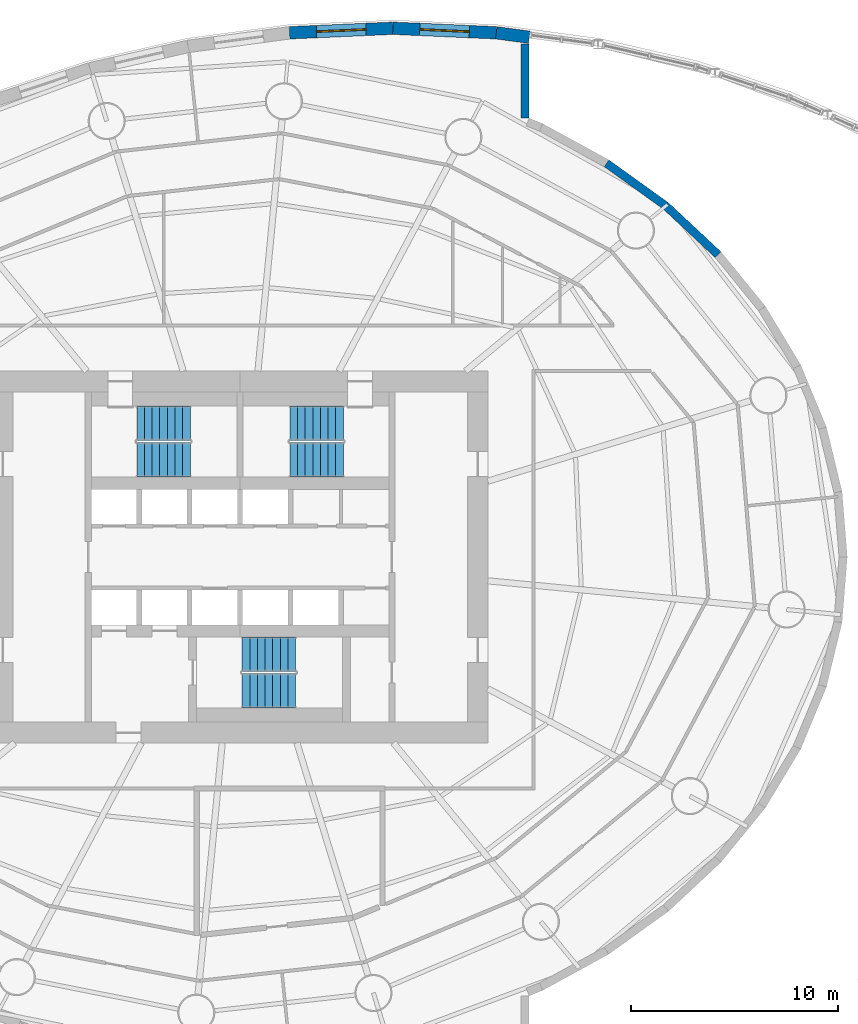
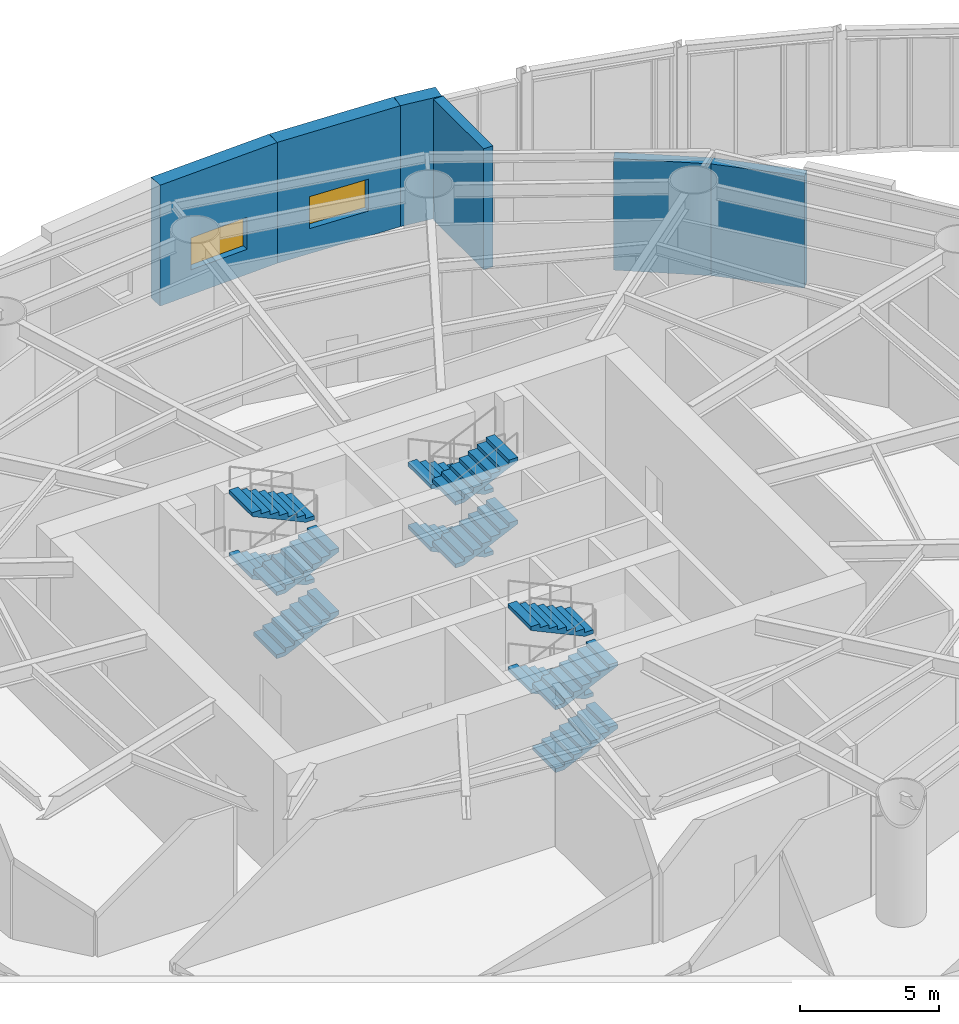
# One storey, part 18 of 19: 12 stair flights, 6 walls, 2 windows, 2 openings, 3 elements without a shape of their own.
"""IFC4 building model written with IfcOpenShell, lengths in metres."""

from ifc_helpers import new_model, si_unit, direction, frame, frame_2d, origin, place, context, subcontext, project, spatial, polyline, rectangle, outline, extrude, material, layer, layer_set, type_object, element, fill, aggregate, save


model = new_model("IFC4")

# Units and contexts
model_context = context("Model", 3, precision=1e-05, world=origin(), true_north=direction((0.0, 1.0)))
body_context = subcontext(model_context, "Body", "Model", "MODEL_VIEW")
ifc_project = project(units=[si_unit("LENGTHUNIT", "METRE"), si_unit("AREAUNIT", "SQUARE_METRE"), si_unit("VOLUMEUNIT", "CUBIC_METRE"), si_unit("PLANEANGLEUNIT", "RADIAN"), si_unit("MASSUNIT", "GRAM", prefix="KILO")], contexts=[model_context])

# Site, building, storey
site_placement = place(None, origin())
site = spatial("IfcSite", under=ifc_project, at=site_placement, CompositionType="ELEMENT")
building_placement = place(site_placement, origin())
building = spatial("IfcBuilding", under=site, at=building_placement, Name="Vermilion Reach Broadcast Tower", CompositionType="ELEMENT")
storey_placement = place(building_placement, frame((0.0, 0.0, 26.0)))
storey = spatial("IfcBuildingStorey", under=building, at=storey_placement, Name="L03", CompositionType="ELEMENT", Elevation=26.0)

# Walls
ifc_material_1 = material(Name="Precast concrete C40/50 with acoustic cladding", Category="concrete")
ifc_layer_1 = layer(ifc_material_1, 0.39990234375)
ifc_layer_set_1 = layer_set([ifc_layer_1], Name="Atrium end wall 400")
wall_type_1 = type_object("IfcWallType", Name="Atrium end wall 400", PredefinedType="SOLIDWALL", material=ifc_layer_set_1)
wall_1_placement = place(storey_placement, frame((7.800048828125, 24.84521484375, 0.0), z_axis=(0.0, 0.0, 1.0), x_axis=(0.0, -1.0, 0.0)))
element("IfcWall", 1, at=wall_1_placement, inside=storey, type_object=wall_type_1, Name="Atrium end wall L03 1", PredefinedType="SOLIDWALL", context=body_context, shape_type="SweptSolid", body=[
    extrude(rectangle(XDim=3.599365234375, YDim=0.39990234375, at=frame_2d((1.7998046875, 0.0))), origin(), (0.0, 0.0, 1.0), 5.300048828125),
])
ifc_material_2 = material(Name="Precast concrete C40/50 with acoustic cladding", Category="concrete")
ifc_layer_2 = layer(ifc_material_2, 0.39990234375)
ifc_layer_set_2 = layer_set([ifc_layer_2], Name="Atrium end wall 400, head 400 below soffit")
wall_type_2 = type_object("IfcWallType", Name="Atrium end wall 400, head 400 below soffit", PredefinedType="SOLIDWALL", material=ifc_layer_set_2)
wall_2_placement = place(storey_placement, frame((11.744873046875, 19.0615234375, 0.0), z_axis=(0.0, 0.0, 1.0), x_axis=(0.81205624831, -0.583579171648, 0.0)))
element("IfcWall", 2, at=wall_2_placement, inside=storey, type_object=wall_type_2, Name="Podium wall L03 dru02", PredefinedType="SOLIDWALL", context=body_context, shape_type="SweptSolid", body=[
    extrude(rectangle(XDim=3.5380859375, YDim=0.39990234375, at=frame_2d((1.76904296875, 0.0))), origin(), (0.0, 0.0, 1.0), 4.89990234375),
])
wall_3_placement = place(storey_placement, frame((14.617919921875, 16.996826171875, 0.0), z_axis=(0.0, 0.0, 1.0), x_axis=(0.730641209912, -0.682761614605, 0.0)))
element("IfcWall", 3, at=wall_3_placement, inside=storey, type_object=wall_type_2, Name="Podium wall L03 dru03", PredefinedType="SOLIDWALL", context=body_context, shape_type="SweptSolid", body=[
    extrude(rectangle(XDim=3.4521484375, YDim=0.39990234375, at=frame_2d((1.72607421875, 0.0))), origin(), (0.0, 0.0, 1.0), 4.89990234375),
])
ifc_material_3 = material(Name="Precast concrete C40/50 with acoustic cladding", Category="concrete")
ifc_layer_3 = layer(ifc_material_3, 0.60009765625)
ifc_layer_set_3 = layer_set([ifc_layer_3], Name="Podium acoustic wall 600")
wall_type_3 = type_object("IfcWallType", Name="Podium acoustic wall 600", PredefinedType="SOLIDWALL", material=ifc_layer_set_3)
wall_4_placement = place(storey_placement, frame((8.0, 25.1650390625, 0.0), z_axis=(0.0, 0.0, 1.0), x_axis=(-0.991131029833, 0.132888230112, 0.0)))
element("IfcWall", 4, at=wall_4_placement, inside=storey, type_object=wall_type_3, Name="Podium wall L03 str00", PredefinedType="SOLIDWALL", context=body_context, shape_type="SweptSolid", body=[
    extrude(rectangle(XDim=1.611328125, YDim=0.60009765625, at=frame_2d((0.8056640625, 0.0))), origin(), (0.0, 0.0, 1.0), 5.300048828125),
])

# Wall, opening, window
wall_5_placement = place(storey_placement, frame((6.403076171875, 25.379150390625, 0.0), z_axis=(0.0, 0.0, 1.0), x_axis=(-0.99902630841, 0.044118421369, 0.0)))
wall_5 = element("IfcWall", 5, at=wall_5_placement, inside=storey, type_object=wall_type_3, Name="Podium wall L03 str01", PredefinedType="SOLIDWALL", context=body_context, shape_type="SweptSolid", body=[
    extrude(rectangle(XDim=5.008056640625, YDim=0.60009765625, at=frame_2d((2.50390625, 0.0))), origin(), (0.0, 0.0, 1.0), 5.300048828125),
])
opening_1_placement = place(wall_5_placement, frame((1.303955078125, 0.0, 1.10009765625)))
opening_1 = element("IfcOpeningElement", 6, at=opening_1_placement, cuts=wall_5, Name="Opening W11", PredefinedType="OPENING", context=body_context, shape_type="SweptSolid", body=[
    extrude(rectangle(XDim=2.39990234375, YDim=1.39990234375, at=frame_2d((1.199951171875, 0.699951171875))), frame((0.0, 0.31005859375, 0.0), z_axis=(0.0, -1.0, 0.0), x_axis=(1.0, 0.0, 0.0)), (0.0, 0.0, 1.0), 0.6201171875),
])
ifc_material_4 = material(Name="Acoustic laminated glass in aluminium frame", Category="aluminium")
window_type = type_object("IfcWindowType", Name="Control room window 2400 x 1400", PartitioningType="SINGLE_PANEL", PredefinedType="WINDOW", material=ifc_material_4)
window_1_placement = place(opening_1_placement, origin())
window_1 = element("IfcWindow", 7, at=window_1_placement, inside=storey, type_object=window_type, Name="Window L03 01", OverallHeight=1.39990234375, OverallWidth=2.39990234375, PartitioningType="SINGLE_PANEL", PredefinedType="WINDOW", context=body_context, shape_type="SweptSolid", body=[
    extrude(rectangle(XDim=2.39990234375, YDim=1.39990234375, at=frame_2d((1.199951171875, 0.699951171875))), frame((0.0, 0.030029296875, 0.0), z_axis=(0.0, -1.0, 0.0), x_axis=(1.0, 0.0, 0.0)), (0.0, 0.0, 1.0), 0.06005859375),
])
fill(opening_1, window_1)

wall_6_placement = place(storey_placement, frame((1.39990234375, 25.60009765625, 0.0), z_axis=(0.0, 0.0, 1.0), x_axis=(-0.999026213515, -0.044120570136, 0.0)))
wall_6 = element("IfcWall", 8, at=wall_6_placement, inside=storey, type_object=wall_type_3, Name="Podium wall L03 str02", PredefinedType="SOLIDWALL", context=body_context, shape_type="SweptSolid", body=[
    extrude(rectangle(XDim=5.0078125, YDim=0.60009765625, at=frame_2d((2.50390625, 0.0))), origin(), (0.0, 0.0, 1.0), 5.300048828125),
])
opening_2_placement = place(wall_6_placement, frame((1.303955078125, 0.0, 1.10009765625)))
opening_2 = element("IfcOpeningElement", 9, at=opening_2_placement, cuts=wall_6, Name="Opening W11", PredefinedType="OPENING", context=body_context, shape_type="SweptSolid", body=[
    extrude(rectangle(XDim=2.39990234375, YDim=1.39990234375, at=frame_2d((1.199951171875, 0.699951171875))), frame((0.0, 0.31005859375, 0.0), z_axis=(0.0, -1.0, 0.0), x_axis=(1.0, 0.0, 0.0)), (0.0, 0.0, 1.0), 0.6201171875),
])
window_2_placement = place(opening_2_placement, origin())
window_2 = element("IfcWindow", 10, at=window_2_placement, inside=storey, type_object=window_type, Name="Window L03 02", OverallHeight=1.39990234375, OverallWidth=2.39990234375, PartitioningType="SINGLE_PANEL", PredefinedType="WINDOW", context=body_context, shape_type="SweptSolid", body=[
    extrude(rectangle(XDim=2.39990234375, YDim=1.39990234375, at=frame_2d((1.199951171875, 0.699951171875))), frame((0.0, 0.030029296875, 0.0), z_axis=(0.0, -1.0, 0.0), x_axis=(1.0, 0.0, 0.0)), (0.0, 0.0, 1.0), 0.06005859375),
])
fill(opening_2, window_2)

# Stair, stair flights
ifc_material_5 = material(Name="Concrete C40", Category="concrete")
stair_type = type_object("IfcStairType", Name="Exit stair RC 32 risers 172 mm", PredefinedType="HALF_TURN_STAIR", material=ifc_material_5)
placement = place(storey_placement, origin())
stair_1 = element("IfcStair", 11, at=placement, inside=storey, type_object=stair_type, Name="L03 Exit stair ST1", PredefinedType="HALF_TURN_STAIR")
ifc_material_6 = material(Name="Concrete C40", Category="concrete")
stair_flight_type = type_object("IfcStairFlightType", Name="Exit stair flight RC 8 risers", PredefinedType="STRAIGHT", material=ifc_material_6)
stair_flight_1_placement = place(storey_placement, frame((-11.0, 4.7099609375, 0.0), z_axis=(0.0, 0.0, 1.0), x_axis=(1.0, 0.0, 0.0)))
stair_flight_1 = element("IfcStairFlight", 12, at=stair_flight_1_placement, type_object=stair_flight_type, Name="ST1 flight 1", NumberOfRisers=8, NumberOfTreads=7, PredefinedType="STRAIGHT", RiserHeight=0.171875, TreadLength=0.37, context=body_context, shape_type="SweptSolid", body=[
    extrude(outline(polyline([(0.0, 0.0), (0.0, 0.171875), (0.3701171875, 0.171875), (0.3701171875, 0.34375), (0.739990234375, 0.34375), (0.739990234375, 0.515625), (1.110107421875, 0.515625), (1.110107421875, 0.6875), (1.47998046875, 0.6875), (1.47998046875, 0.859375), (1.85009765625, 0.859375), (1.85009765625, 1.03125), (2.219970703125, 1.03125), (2.219970703125, 1.203125), (2.590087890625, 1.203125), (2.590087890625, 1.375), (2.590087890625, 1.037841796875), (0.355712890625, 0.0), (0.0, 0.0)])), frame((0.0, 0.830078125, 0.0), z_axis=(0.0, -1.0, 0.0), x_axis=(1.0, 0.0, 0.0)), (0.0, 0.0, 1.0), 1.659912109375),
])
stair_flight_2_placement = place(storey_placement, frame((-8.409912109375, 6.469970703125, 1.375), z_axis=(0.0, 0.0, 1.0), x_axis=(-1.0, 0.0, 0.0)))
stair_flight_2 = element("IfcStairFlight", 13, at=stair_flight_2_placement, type_object=stair_flight_type, Name="ST1 flight 2", NumberOfRisers=8, NumberOfTreads=7, PredefinedType="STRAIGHT", RiserHeight=0.171875, TreadLength=0.37, context=body_context, shape_type="SweptSolid", body=[
    extrude(outline(polyline([(0.0, 0.0), (0.0, 0.171875), (0.3701171875, 0.171875), (0.3701171875, 0.34375), (0.739990234375, 0.34375), (0.739990234375, 0.515625), (1.110107421875, 0.515625), (1.110107421875, 0.6875), (1.47998046875, 0.6875), (1.47998046875, 0.859375), (1.85009765625, 0.859375), (1.85009765625, 1.03125), (2.219970703125, 1.03125), (2.219970703125, 1.203125), (2.590087890625, 1.203125), (2.590087890625, 1.375), (2.590087890625, 1.037841796875), (0.355712890625, 0.0), (0.0, 0.0)])), frame((0.0, 0.830078125, 0.0), z_axis=(0.0, -1.0, 0.0), x_axis=(1.0, 0.0, 0.0)), (0.0, 0.0, 1.0), 1.659912109375),
])
stair_flight_3_placement = place(storey_placement, frame((-11.0, 4.7099609375, 2.75), z_axis=(0.0, 0.0, 1.0), x_axis=(1.0, 0.0, 0.0)))
stair_flight_3 = element("IfcStairFlight", 14, at=stair_flight_3_placement, type_object=stair_flight_type, Name="ST1 flight 3", NumberOfRisers=8, NumberOfTreads=7, PredefinedType="STRAIGHT", RiserHeight=0.171875, TreadLength=0.37, context=body_context, shape_type="SweptSolid", body=[
    extrude(outline(polyline([(0.0, 0.0), (0.0, 0.171875), (0.3701171875, 0.171875), (0.3701171875, 0.34375), (0.739990234375, 0.34375), (0.739990234375, 0.515625), (1.110107421875, 0.515625), (1.110107421875, 0.6875), (1.47998046875, 0.6875), (1.47998046875, 0.859375), (1.85009765625, 0.859375), (1.85009765625, 1.03125), (2.219970703125, 1.03125), (2.219970703125, 1.203125), (2.590087890625, 1.203125), (2.590087890625, 1.375), (2.590087890625, 1.037841796875), (0.355712890625, 0.0), (0.0, 0.0)])), frame((0.0, 0.830078125, 0.0), z_axis=(0.0, -1.0, 0.0), x_axis=(1.0, 0.0, 0.0)), (0.0, 0.0, 1.0), 1.659912109375),
])
stair_flight_4_placement = place(storey_placement, frame((-8.409912109375, 6.469970703125, 4.125), z_axis=(0.0, 0.0, 1.0), x_axis=(-1.0, 0.0, 0.0)))
stair_flight_4 = element("IfcStairFlight", 15, at=stair_flight_4_placement, type_object=stair_flight_type, Name="ST1 flight 4", NumberOfRisers=8, NumberOfTreads=7, PredefinedType="STRAIGHT", RiserHeight=0.171875, TreadLength=0.37, context=body_context, shape_type="SweptSolid", body=[
    extrude(outline(polyline([(0.0, 0.0), (0.0, 0.171875), (0.3701171875, 0.171875), (0.3701171875, 0.34375), (0.739990234375, 0.34375), (0.739990234375, 0.515625), (1.110107421875, 0.515625), (1.110107421875, 0.6875), (1.47998046875, 0.6875), (1.47998046875, 0.859375), (1.85009765625, 0.859375), (1.85009765625, 1.03125), (2.219970703125, 1.03125), (2.219970703125, 1.203125), (2.590087890625, 1.203125), (2.590087890625, 1.375), (2.590087890625, 1.037841796875), (0.355712890625, 0.0), (0.0, 0.0)])), frame((0.0, 0.830078125, 0.0), z_axis=(0.0, -1.0, 0.0), x_axis=(1.0, 0.0, 0.0)), (0.0, 0.0, 1.0), 1.659912109375),
])
aggregate(stair_1, [stair_flight_1, stair_flight_2, stair_flight_3, stair_flight_4])

stair_2 = element("IfcStair", 16, at=placement, inside=storey, type_object=stair_type, Name="L03 Exit stair ST2", PredefinedType="HALF_TURN_STAIR")
stair_flight_5_placement = place(storey_placement, frame((-1.0, 6.469970703125, 0.0), z_axis=(0.0, 0.0, 1.0), x_axis=(-1.0, 0.0, 0.0)))
stair_flight_5 = element("IfcStairFlight", 17, at=stair_flight_5_placement, type_object=stair_flight_type, Name="ST2 flight 1", NumberOfRisers=8, NumberOfTreads=7, PredefinedType="STRAIGHT", RiserHeight=0.171875, TreadLength=0.37, context=body_context, shape_type="SweptSolid", body=[
    extrude(outline(polyline([(0.0, 0.0), (0.0, 0.171875), (0.3701171875, 0.171875), (0.3701171875, 0.34375), (0.739990234375, 0.34375), (0.739990234375, 0.515625), (1.110107421875, 0.515625), (1.110107421875, 0.6875), (1.47998046875, 0.6875), (1.47998046875, 0.859375), (1.85009765625, 0.859375), (1.85009765625, 1.03125), (2.219970703125, 1.03125), (2.219970703125, 1.203125), (2.590087890625, 1.203125), (2.590087890625, 1.375), (2.590087890625, 1.037841796875), (0.355712890625, 0.0), (0.0, 0.0)])), frame((0.0, 0.830078125, 0.0), z_axis=(0.0, -1.0, 0.0), x_axis=(1.0, 0.0, 0.0)), (0.0, 0.0, 1.0), 1.659912109375),
])
stair_flight_6_placement = place(storey_placement, frame((-3.590087890625, 4.7099609375, 1.375), z_axis=(0.0, 0.0, 1.0), x_axis=(1.0, 0.0, 0.0)))
stair_flight_6 = element("IfcStairFlight", 18, at=stair_flight_6_placement, type_object=stair_flight_type, Name="ST2 flight 2", NumberOfRisers=8, NumberOfTreads=7, PredefinedType="STRAIGHT", RiserHeight=0.171875, TreadLength=0.37, context=body_context, shape_type="SweptSolid", body=[
    extrude(outline(polyline([(0.0, 0.0), (0.0, 0.171875), (0.3701171875, 0.171875), (0.3701171875, 0.34375), (0.739990234375, 0.34375), (0.739990234375, 0.515625), (1.110107421875, 0.515625), (1.110107421875, 0.6875), (1.47998046875, 0.6875), (1.47998046875, 0.859375), (1.85009765625, 0.859375), (1.85009765625, 1.03125), (2.219970703125, 1.03125), (2.219970703125, 1.203125), (2.590087890625, 1.203125), (2.590087890625, 1.375), (2.590087890625, 1.037841796875), (0.355712890625, 0.0), (0.0, 0.0)])), frame((0.0, 0.830078125, 0.0), z_axis=(0.0, -1.0, 0.0), x_axis=(1.0, 0.0, 0.0)), (0.0, 0.0, 1.0), 1.659912109375),
])
stair_flight_7_placement = place(storey_placement, frame((-1.0, 6.469970703125, 2.75), z_axis=(0.0, 0.0, 1.0), x_axis=(-1.0, 0.0, 0.0)))
stair_flight_7 = element("IfcStairFlight", 19, at=stair_flight_7_placement, type_object=stair_flight_type, Name="ST2 flight 3", NumberOfRisers=8, NumberOfTreads=7, PredefinedType="STRAIGHT", RiserHeight=0.171875, TreadLength=0.37, context=body_context, shape_type="SweptSolid", body=[
    extrude(outline(polyline([(0.0, 0.0), (0.0, 0.171875), (0.3701171875, 0.171875), (0.3701171875, 0.34375), (0.739990234375, 0.34375), (0.739990234375, 0.515625), (1.110107421875, 0.515625), (1.110107421875, 0.6875), (1.47998046875, 0.6875), (1.47998046875, 0.859375), (1.85009765625, 0.859375), (1.85009765625, 1.03125), (2.219970703125, 1.03125), (2.219970703125, 1.203125), (2.590087890625, 1.203125), (2.590087890625, 1.375), (2.590087890625, 1.037841796875), (0.355712890625, 0.0), (0.0, 0.0)])), frame((0.0, 0.830078125, 0.0), z_axis=(0.0, -1.0, 0.0), x_axis=(1.0, 0.0, 0.0)), (0.0, 0.0, 1.0), 1.659912109375),
])
stair_flight_8_placement = place(storey_placement, frame((-3.590087890625, 4.7099609375, 4.125), z_axis=(0.0, 0.0, 1.0), x_axis=(1.0, 0.0, 0.0)))
stair_flight_8 = element("IfcStairFlight", 20, at=stair_flight_8_placement, type_object=stair_flight_type, Name="ST2 flight 4", NumberOfRisers=8, NumberOfTreads=7, PredefinedType="STRAIGHT", RiserHeight=0.171875, TreadLength=0.37, context=body_context, shape_type="SweptSolid", body=[
    extrude(outline(polyline([(0.0, 0.0), (0.0, 0.171875), (0.3701171875, 0.171875), (0.3701171875, 0.34375), (0.739990234375, 0.34375), (0.739990234375, 0.515625), (1.110107421875, 0.515625), (1.110107421875, 0.6875), (1.47998046875, 0.6875), (1.47998046875, 0.859375), (1.85009765625, 0.859375), (1.85009765625, 1.03125), (2.219970703125, 1.03125), (2.219970703125, 1.203125), (2.590087890625, 1.203125), (2.590087890625, 1.375), (2.590087890625, 1.037841796875), (0.355712890625, 0.0), (0.0, 0.0)])), frame((0.0, 0.830078125, 0.0), z_axis=(0.0, -1.0, 0.0), x_axis=(1.0, 0.0, 0.0)), (0.0, 0.0, 1.0), 1.659912109375),
])
aggregate(stair_2, [stair_flight_5, stair_flight_6, stair_flight_7, stair_flight_8])

stair_3 = element("IfcStair", 21, at=placement, inside=storey, type_object=stair_type, Name="L03 Exit stair ST3", PredefinedType="HALF_TURN_STAIR")
stair_flight_9_placement = place(storey_placement, frame((-5.89990234375, -6.469970703125, 0.0), z_axis=(0.0, 0.0, 1.0), x_axis=(1.0, 0.0, 0.0)))
stair_flight_9 = element("IfcStairFlight", 22, at=stair_flight_9_placement, type_object=stair_flight_type, Name="ST3 flight 1", NumberOfRisers=8, NumberOfTreads=7, PredefinedType="STRAIGHT", RiserHeight=0.171875, TreadLength=0.37, context=body_context, shape_type="SweptSolid", body=[
    extrude(outline(polyline([(0.0, 0.0), (0.0, 0.171875), (0.3701171875, 0.171875), (0.3701171875, 0.34375), (0.739990234375, 0.34375), (0.739990234375, 0.515625), (1.110107421875, 0.515625), (1.110107421875, 0.6875), (1.47998046875, 0.6875), (1.47998046875, 0.859375), (1.85009765625, 0.859375), (1.85009765625, 1.03125), (2.219970703125, 1.03125), (2.219970703125, 1.203125), (2.590087890625, 1.203125), (2.590087890625, 1.375), (2.590087890625, 1.037841796875), (0.355712890625, 0.0), (0.0, 0.0)])), frame((0.0, 0.830078125, 0.0), z_axis=(0.0, -1.0, 0.0), x_axis=(1.0, 0.0, 0.0)), (0.0, 0.0, 1.0), 1.659912109375),
])
stair_flight_10_placement = place(storey_placement, frame((-3.31005859375, -4.7099609375, 1.375), z_axis=(0.0, 0.0, 1.0), x_axis=(-1.0, 0.0, 0.0)))
stair_flight_10 = element("IfcStairFlight", 23, at=stair_flight_10_placement, type_object=stair_flight_type, Name="ST3 flight 2", NumberOfRisers=8, NumberOfTreads=7, PredefinedType="STRAIGHT", RiserHeight=0.171875, TreadLength=0.37, context=body_context, shape_type="SweptSolid", body=[
    extrude(outline(polyline([(0.0, 0.0), (0.0, 0.171875), (0.3701171875, 0.171875), (0.3701171875, 0.34375), (0.739990234375, 0.34375), (0.739990234375, 0.515625), (1.110107421875, 0.515625), (1.110107421875, 0.6875), (1.47998046875, 0.6875), (1.47998046875, 0.859375), (1.85009765625, 0.859375), (1.85009765625, 1.03125), (2.219970703125, 1.03125), (2.219970703125, 1.203125), (2.590087890625, 1.203125), (2.590087890625, 1.375), (2.590087890625, 1.037841796875), (0.355712890625, 0.0), (0.0, 0.0)])), frame((0.0, 0.830078125, 0.0), z_axis=(0.0, -1.0, 0.0), x_axis=(1.0, 0.0, 0.0)), (0.0, 0.0, 1.0), 1.659912109375),
])
stair_flight_11_placement = place(storey_placement, frame((-5.89990234375, -6.469970703125, 2.75), z_axis=(0.0, 0.0, 1.0), x_axis=(1.0, 0.0, 0.0)))
stair_flight_11 = element("IfcStairFlight", 24, at=stair_flight_11_placement, type_object=stair_flight_type, Name="ST3 flight 3", NumberOfRisers=8, NumberOfTreads=7, PredefinedType="STRAIGHT", RiserHeight=0.171875, TreadLength=0.37, context=body_context, shape_type="SweptSolid", body=[
    extrude(outline(polyline([(0.0, 0.0), (0.0, 0.171875), (0.3701171875, 0.171875), (0.3701171875, 0.34375), (0.739990234375, 0.34375), (0.739990234375, 0.515625), (1.110107421875, 0.515625), (1.110107421875, 0.6875), (1.47998046875, 0.6875), (1.47998046875, 0.859375), (1.85009765625, 0.859375), (1.85009765625, 1.03125), (2.219970703125, 1.03125), (2.219970703125, 1.203125), (2.590087890625, 1.203125), (2.590087890625, 1.375), (2.590087890625, 1.037841796875), (0.355712890625, 0.0), (0.0, 0.0)])), frame((0.0, 0.830078125, 0.0), z_axis=(0.0, -1.0, 0.0), x_axis=(1.0, 0.0, 0.0)), (0.0, 0.0, 1.0), 1.659912109375),
])
stair_flight_12_placement = place(storey_placement, frame((-3.31005859375, -4.7099609375, 4.125), z_axis=(0.0, 0.0, 1.0), x_axis=(-1.0, 0.0, 0.0)))
stair_flight_12 = element("IfcStairFlight", 25, at=stair_flight_12_placement, type_object=stair_flight_type, Name="ST3 flight 4", NumberOfRisers=8, NumberOfTreads=7, PredefinedType="STRAIGHT", RiserHeight=0.171875, TreadLength=0.37, context=body_context, shape_type="SweptSolid", body=[
    extrude(outline(polyline([(0.0, 0.0), (0.0, 0.171875), (0.3701171875, 0.171875), (0.3701171875, 0.34375), (0.739990234375, 0.34375), (0.739990234375, 0.515625), (1.110107421875, 0.515625), (1.110107421875, 0.6875), (1.47998046875, 0.6875), (1.47998046875, 0.859375), (1.85009765625, 0.859375), (1.85009765625, 1.03125), (2.219970703125, 1.03125), (2.219970703125, 1.203125), (2.590087890625, 1.203125), (2.590087890625, 1.375), (2.590087890625, 1.037841796875), (0.355712890625, 0.0), (0.0, 0.0)])), frame((0.0, 0.830078125, 0.0), z_axis=(0.0, -1.0, 0.0), x_axis=(1.0, 0.0, 0.0)), (0.0, 0.0, 1.0), 1.659912109375),
])
aggregate(stair_3, [stair_flight_9, stair_flight_10, stair_flight_11, stair_flight_12])

save(model, "model.ifc")
